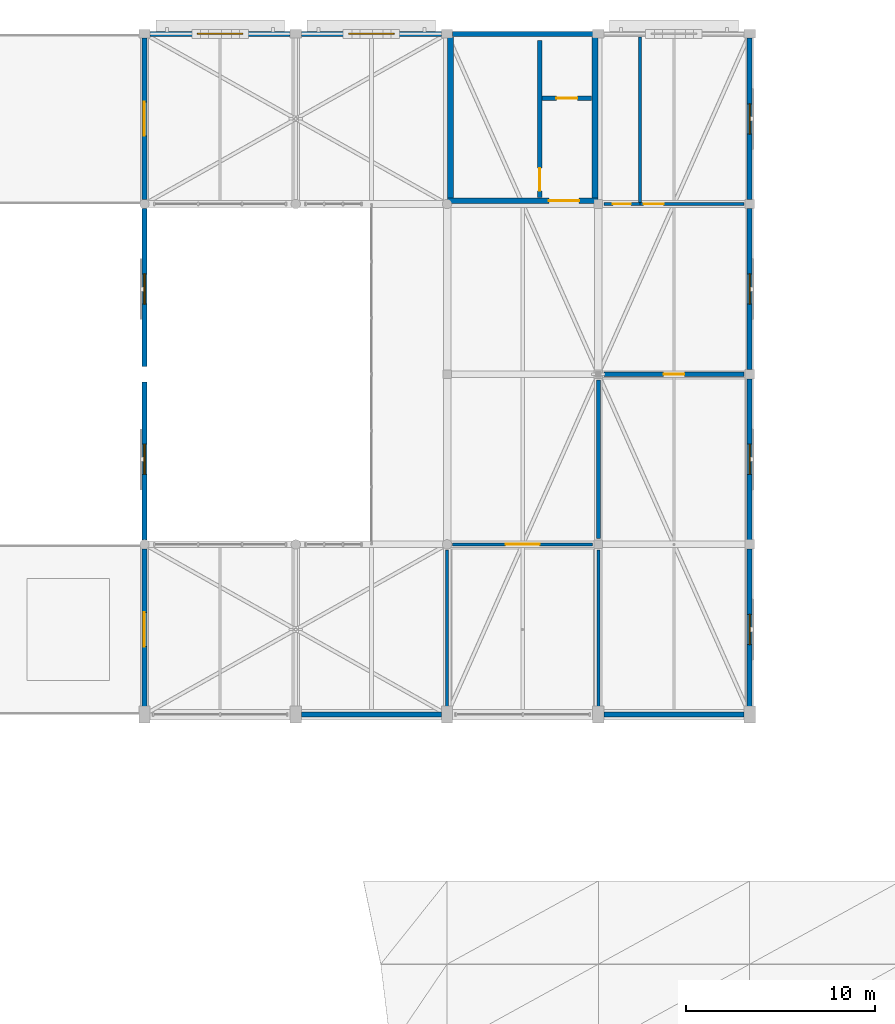
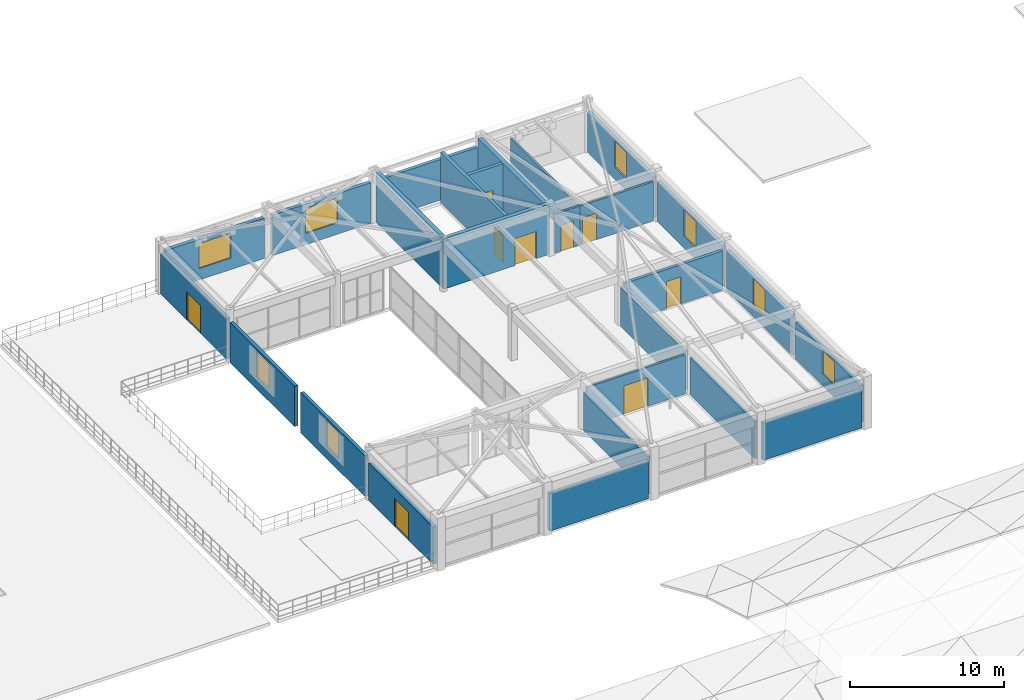
# One storey, part 46 of 63: 26 walls, 9 doors, 8 windows, 17 openings.
"""IFC4 building model written with IfcOpenShell, lengths in metres."""

from ifc_helpers import new_model, si_unit, direction, frame, frame_2d, origin, place, context, subcontext, project, spatial, rectangle, extrude, material, layer, layer_set, type_object, element, fill, save


model = new_model("IFC4")

# Units and contexts
model_context = context("Model", 3, precision=1e-05, world=origin(), true_north=direction((0.0, 1.0)))
body_context = subcontext(model_context, "Body", "Model", "MODEL_VIEW")
ifc_project = project(units=[si_unit("LENGTHUNIT", "METRE"), si_unit("AREAUNIT", "SQUARE_METRE"), si_unit("VOLUMEUNIT", "CUBIC_METRE"), si_unit("PLANEANGLEUNIT", "RADIAN"), si_unit("MASSUNIT", "GRAM", prefix="KILO")], contexts=[model_context])

# Site, building, storey
site_placement = place(None, origin())
site = spatial("IfcSite", under=ifc_project, at=site_placement, CompositionType="ELEMENT")
building_placement = place(site_placement, origin())
building = spatial("IfcBuilding", under=site, at=building_placement, Name="Varnabhumi Central Station", CompositionType="ELEMENT")
storey_placement = place(building_placement, frame((0.0, 0.0, 20.39990234375)))
storey = spatial("IfcBuildingStorey", under=building, at=storey_placement, Name="L04", CompositionType="ELEMENT", Elevation=20.39990234375)

# Wall, opening, door
ifc_material_1 = material(Name="Autoclaved aerated blockwork masonry", Category="masonry")
ifc_layer_1 = layer(ifc_material_1, 0.219970703125, Name="Autoclaved aerated blockwork masonry", Category="masonry")
ifc_layer_set_1 = layer_set([ifc_layer_1], Name="Autoclaved aerated blockwork masonry")
wall_type_1 = type_object("IfcWallType", Name="WAL-COMP-AAC-220", PredefinedType="SOLIDWALL", material=ifc_layer_set_1)
wall_1_placement = place(storey_placement, frame((88.300048828125, 98.0, 0.0), z_axis=(0.0, 0.0, 1.0), x_axis=(1.0, 0.0, 0.0)))
wall_1 = element("IfcWall", 1, at=wall_1_placement, inside=storey, type_object=wall_type_1, Name="Landscape Maintenance Store Corridor Partition 1", PredefinedType="SOLIDWALL", context=body_context, shape_type="SweptSolid", body=[
    extrude(rectangle(XDim=7.39990234375, YDim=0.219970703125, at=frame_2d((3.699951171875, 0.0))), origin(), (0.0, 0.0, 1.0), 3.10009765625),
])
opening_1_placement = place(wall_1_placement, frame((3.14990234375, 0.0, 0.0)))
opening_1 = element("IfcOpeningElement", 2, at=opening_1_placement, cuts=wall_1, Name="Opening FD-60", PredefinedType="OPENING", context=body_context, shape_type="SweptSolid", body=[
    extrude(rectangle(XDim=1.10009765625, YDim=2.14990234375, at=frame_2d((0.550048828125, 1.074951171875))), frame((0.0, 0.119873046875, 0.0), z_axis=(0.0, -1.0, 0.0), x_axis=(1.0, 0.0, 0.0)), (0.0, 0.0, 1.0), 0.239990234375),
])
ifc_material_2 = material(Name="Intumescent-treated hardwood timber", Category="wood")
door_type_1 = type_object("IfcDoorType", Name="DR-FIRE-60-1100", OperationType="NOTDEFINED", PredefinedType="DOOR", material=ifc_material_2)
door_1_placement = place(opening_1_placement, origin())
door_1 = element("IfcDoor", 3, at=door_1_placement, inside=storey, type_object=door_type_1, Name="Landscape Maintenance Store Door 1", OperationType="SINGLE_SWING_LEFT", OverallHeight=2.14990234375, OverallWidth=1.10009765625, PredefinedType="DOOR", context=body_context, shape_type="SweptSolid", body=[
    extrude(rectangle(XDim=1.10009765625, YDim=2.14990234375, at=frame_2d((0.550048828125, 1.074951171875))), frame((0.0, 0.02490234375, 0.0), z_axis=(0.0, -1.0, 0.0), x_axis=(1.0, 0.0, 0.0)), (0.0, 0.0, 1.0), 0.050048828125),
])
fill(opening_1, door_1)

# Walls
wall_2_placement = place(storey_placement, frame((88.0, 89.300048828125, 0.0), z_axis=(0.0, 0.0, 1.0), x_axis=(0.0, 1.0, 0.0)))
element("IfcWall", 4, at=wall_2_placement, inside=storey, type_object=wall_type_1, Name="Landscape Maintenance Store E Partition 2", PredefinedType="SOLIDWALL", context=body_context, shape_type="SweptSolid", body=[
    extrude(rectangle(XDim=8.39990234375, YDim=0.219970703125, at=frame_2d((4.199951171875, 0.0))), origin(), (0.0, 0.0, 1.0), 3.10009765625),
])
ifc_material_3 = material(Name="Concrete M40", Category="concrete")
ifc_layer_2 = layer(ifc_material_3, 0.300048828125, Name="Concrete M40", Category="concrete")
ifc_layer_set_2 = layer_set([ifc_layer_2], Name="Concrete M40")
wall_type_2 = type_object("IfcWallType", Name="WAL-CORE-RC-300", PredefinedType="SHEAR", material=ifc_layer_set_2)
for number, where, z_axis, x_axis, name in (
    (5, (80.179931640625, 107.179931640625, 0.0), (0.0, 0.0, 1.0), (0.0, 1.0, 0.0), "NC2 L04 West Shear Wall"),
    (6, (87.820068359375, 107.179931640625, 0.0), (0.0, 0.0, 1.0), (0.0, 1.0, 0.0), "NC2 L04 East Shear Wall"),
):
    element("IfcWall", number, at=place(storey_placement, frame(where, z_axis=z_axis, x_axis=x_axis)), inside=storey, type_object=wall_type_2, Name=name, PredefinedType="SHEAR", context=body_context, shape_type="SweptSolid", body=[
        extrude(rectangle(XDim=8.64013671875, YDim=0.300048828125, at=frame_2d((4.320068359375, 0.0))), origin(), (0.0, 0.0, 1.0), 3.97998046875),
    ])

# Wall, opening, door
wall_3_placement = place(storey_placement, frame((80.030029296875, 107.179931640625, 0.0), z_axis=(0.0, 0.0, 1.0), x_axis=(1.0, 0.0, 0.0)))
wall_3 = element("IfcWall", 7, at=wall_3_placement, inside=storey, type_object=wall_type_2, Name="NC2 L04 Corridor Shear Wall", PredefinedType="SHEAR", context=body_context, shape_type="SweptSolid", body=[
    extrude(rectangle(XDim=7.93994140625, YDim=0.300048828125, at=frame_2d((3.969970703125, 0.0))), origin(), (0.0, 0.0, 1.0), 3.97998046875),
])
opening_2_placement = place(wall_3_placement, frame((5.35009765625, 0.0, 0.0)))
opening_2 = element("IfcOpeningElement", 8, at=opening_2_placement, cuts=wall_3, Name="Opening FD-60D", PredefinedType="OPENING", context=body_context, shape_type="SweptSolid", body=[
    extrude(rectangle(XDim=1.60009765625, YDim=2.14990234375, at=frame_2d((0.800048828125, 1.074951171875))), frame((0.0, 0.159912109375, 0.0), z_axis=(0.0, -1.0, 0.0), x_axis=(1.0, 0.0, 0.0)), (0.0, 0.0, 1.0), 0.320068359375),
])
door_type_2 = type_object("IfcDoorType", Name="DR-FIRE-60-1600", OperationType="NOTDEFINED", PredefinedType="DOOR", material=ifc_material_2)
door_2_placement = place(opening_2_placement, frame((1.60009765625, 0.0, 0.0), z_axis=(0.0, 0.0, 1.0), x_axis=(-1.0, 0.0, 0.0)))
door_2 = element("IfcDoor", 9, at=door_2_placement, inside=storey, type_object=door_type_2, Name="NC2 L04 Lobby Fire Door", OperationType="DOUBLE_DOOR_SINGLE_SWING", OverallHeight=2.14990234375, OverallWidth=1.60009765625, PredefinedType="DOOR", context=body_context, shape_type="SweptSolid", body=[
    extrude(rectangle(XDim=1.60009765625, YDim=2.14990234375, at=frame_2d((0.800048828125, 1.074951171875))), frame((0.0, 0.02490234375, 0.0), z_axis=(0.0, -1.0, 0.0), x_axis=(1.0, 0.0, 0.0)), (0.0, 0.0, 1.0), 0.050048828125),
])
fill(opening_2, door_2)

# Wall, opening, window
ifc_layer_3 = layer(ifc_material_1, 0.260009765625, Name="Autoclaved aerated blockwork masonry", Category="masonry")
ifc_layer_set_3 = layer_set([ifc_layer_3], Name="Autoclaved aerated blockwork masonry")
wall_type_3 = type_object("IfcWallType", Name="WAL-EXT-STUCCO-260", PredefinedType="SOLIDWALL", material=ifc_layer_set_3)
wall_4_placement = place(storey_placement, frame((64.294921875, 116.0, 0.0), z_axis=(0.0, 0.0, 1.0), x_axis=(1.0, 0.0, 0.0)))
wall_4 = element("IfcWall", 10, at=wall_4_placement, inside=storey, type_object=wall_type_3, Name="North Boulevard Wall L04-1", PredefinedType="SOLIDWALL", context=body_context, shape_type="SweptSolid", body=[
    extrude(rectangle(XDim=7.41015625, YDim=0.260009765625, at=frame_2d((3.705078125, 0.0))), origin(), (0.0, 0.0, 1.0), 3.210205078125),
])
opening_3_placement = place(wall_4_placement, frame((2.5048828125, 0.0, 0.89990234375)))
opening_3 = element("IfcOpeningElement", 11, at=opening_3_placement, cuts=wall_4, Name="Opening W-05", PredefinedType="OPENING", context=body_context, shape_type="SweptSolid", body=[
    extrude(rectangle(XDim=2.39990234375, YDim=1.989990234375, at=frame_2d((1.199951171875, 0.9951171875))), frame((0.0, 0.139892578125, 0.0), z_axis=(0.0, -1.0, 0.0), x_axis=(1.0, 0.0, 0.0)), (0.0, 0.0, 1.0), 0.280029296875),
])
ifc_material_4 = material(Name="Laminated low-E double glazing", Category="glass")
window_type_1 = type_object("IfcWindowType", Name="WIN-TALL-2400x3200", PartitioningType="TRIPLE_PANEL_HORIZONTAL", PredefinedType="WINDOW", material=ifc_material_4)
window_1_placement = place(opening_3_placement, origin())
window_1 = element("IfcWindow", 12, at=window_1_placement, inside=storey, type_object=window_type_1, Name="North Facade Window L04-1", OverallHeight=1.989990234375, OverallWidth=2.39990234375, PartitioningType="SINGLE_PANEL", PredefinedType="WINDOW", context=body_context, shape_type="SweptSolid", body=[
    extrude(rectangle(XDim=2.39990234375, YDim=1.989990234375, at=frame_2d((1.199951171875, 0.9951171875))), frame((0.0, 0.030029296875, 0.0), z_axis=(0.0, -1.0, 0.0), x_axis=(1.0, 0.0, 0.0)), (0.0, 0.0, 1.0), 0.06005859375),
])
fill(opening_3, window_1)

wall_5_placement = place(storey_placement, frame((72.294921875, 116.0, 0.0), z_axis=(0.0, 0.0, 1.0), x_axis=(1.0, 0.0, 0.0)))
wall_5 = element("IfcWall", 13, at=wall_5_placement, inside=storey, type_object=wall_type_3, Name="North Boulevard Wall L04-2", PredefinedType="SOLIDWALL", context=body_context, shape_type="SweptSolid", body=[
    extrude(rectangle(XDim=7.41015625, YDim=0.260009765625, at=frame_2d((3.705078125, 0.0))), origin(), (0.0, 0.0, 1.0), 3.210205078125),
])
opening_4_placement = place(wall_5_placement, frame((2.5048828125, 0.0, 0.89990234375)))
opening_4 = element("IfcOpeningElement", 14, at=opening_4_placement, cuts=wall_5, Name="Opening W-05", PredefinedType="OPENING", context=body_context, shape_type="SweptSolid", body=[
    extrude(rectangle(XDim=2.39990234375, YDim=1.989990234375, at=frame_2d((1.199951171875, 0.9951171875))), frame((0.0, 0.139892578125, 0.0), z_axis=(0.0, -1.0, 0.0), x_axis=(1.0, 0.0, 0.0)), (0.0, 0.0, 1.0), 0.280029296875),
])
window_2_placement = place(opening_4_placement, origin())
window_2 = element("IfcWindow", 15, at=window_2_placement, inside=storey, type_object=window_type_1, Name="North Facade Window L04-2", OverallHeight=1.989990234375, OverallWidth=2.39990234375, PartitioningType="SINGLE_PANEL", PredefinedType="WINDOW", context=body_context, shape_type="SweptSolid", body=[
    extrude(rectangle(XDim=2.39990234375, YDim=1.989990234375, at=frame_2d((1.199951171875, 0.9951171875))), frame((0.0, 0.030029296875, 0.0), z_axis=(0.0, -1.0, 0.0), x_axis=(1.0, 0.0, 0.0)), (0.0, 0.0, 1.0), 0.06005859375),
])
fill(opening_4, window_2)

# Walls
wall_6_placement = place(storey_placement, frame((72.294921875, 80.0, 0.0), z_axis=(0.0, 0.0, 1.0), x_axis=(1.0, 0.0, 0.0)))
element("IfcWall", 16, at=wall_6_placement, inside=storey, type_object=wall_type_3, Name="North Spine Wall L04-2", PredefinedType="SOLIDWALL", context=body_context, shape_type="SweptSolid", body=[
    extrude(rectangle(XDim=7.41015625, YDim=0.260009765625, at=frame_2d((3.705078125, 0.0))), origin(), (0.0, 0.0, 1.0), 2.960205078125),
])
wall_7_placement = place(storey_placement, frame((80.294921875, 116.0, 0.0), z_axis=(0.0, 0.0, 1.0), x_axis=(1.0, 0.0, 0.0)))
element("IfcWall", 17, at=wall_7_placement, inside=storey, type_object=wall_type_3, Name="North Boulevard Wall L04-3", PredefinedType="SOLIDWALL", context=body_context, shape_type="SweptSolid", body=[
    extrude(rectangle(XDim=7.41015625, YDim=0.260009765625, at=frame_2d((3.705078125, 0.0))), origin(), (0.0, 0.0, 1.0), 3.210205078125),
])
wall_8_placement = place(storey_placement, frame((88.294921875, 80.0, 0.0), z_axis=(0.0, 0.0, 1.0), x_axis=(1.0, 0.0, 0.0)))
element("IfcWall", 18, at=wall_8_placement, inside=storey, type_object=wall_type_3, Name="North Spine Wall L04-4", PredefinedType="SOLIDWALL", context=body_context, shape_type="SweptSolid", body=[
    extrude(rectangle(XDim=7.41015625, YDim=0.260009765625, at=frame_2d((3.705078125, 0.0))), origin(), (0.0, 0.0, 1.0), 2.960205078125),
])

# Wall, opening, door
wall_9_placement = place(storey_placement, frame((64.0, 80.39990234375, 0.0), z_axis=(0.0, 0.0, 1.0), x_axis=(0.0, 1.0, 0.0)))
wall_9 = element("IfcWall", 19, at=wall_9_placement, inside=storey, type_object=wall_type_3, Name="North Wing E End Wall L04-1", PredefinedType="SOLIDWALL", context=body_context, shape_type="SweptSolid", body=[
    extrude(rectangle(XDim=8.35498046875, YDim=0.260009765625, at=frame_2d((4.177490234375, 0.0))), origin(), (0.0, 0.0, 1.0), 2.960205078125),
])
opening_5_placement = place(wall_9_placement, frame((3.199951171875, 0.0, 0.0)))
opening_5 = element("IfcOpeningElement", 20, at=opening_5_placement, cuts=wall_9, Name="Opening ED-4", PredefinedType="OPENING", context=body_context, shape_type="SweptSolid", body=[
    extrude(rectangle(XDim=1.800048828125, YDim=2.199951171875, at=frame_2d((0.89990234375, 1.10009765625))), frame((0.0, 0.139892578125, 0.0), z_axis=(0.0, -1.0, 0.0), x_axis=(1.0, 0.0, 0.0)), (0.0, 0.0, 1.0), 0.280029296875),
])
ifc_material_5 = material(Name="Anodised aluminium 6063-T6", Category="aluminium")
door_type_3 = type_object("IfcDoorType", Name="DR-EXT-AZOTEA-1800", OperationType="NOTDEFINED", PredefinedType="DOOR", material=ifc_material_5)
door_3_placement = place(opening_5_placement, frame((1.800048828125, 0.0, 0.0), z_axis=(0.0, 0.0, 1.0), x_axis=(-1.0, 0.0, 0.0)))
door_3 = element("IfcDoor", 21, at=door_3_placement, inside=storey, type_object=door_type_3, Name="North Azotea Garden Door L04-E", OperationType="DOUBLE_DOOR_SINGLE_SWING", OverallHeight=2.199951171875, OverallWidth=1.800048828125, PredefinedType="DOOR", context=body_context, shape_type="SweptSolid", body=[
    extrude(rectangle(XDim=1.800048828125, YDim=2.199951171875, at=frame_2d((0.89990234375, 1.10009765625))), frame((0.0, 0.02490234375, 0.0), z_axis=(0.0, -1.0, 0.0), x_axis=(1.0, 0.0, 0.0)), (0.0, 0.0, 1.0), 0.050048828125),
])
fill(opening_5, door_3)

# Wall, opening, window
wall_10_placement = place(storey_placement, frame((64.0, 89.2451171875, 0.0), z_axis=(0.0, 0.0, 1.0), x_axis=(0.0, 1.0, 0.0)))
wall_10 = element("IfcWall", 22, at=wall_10_placement, inside=storey, type_object=wall_type_3, Name="North Wing E End Wall L04-2", PredefinedType="SOLIDWALL", context=body_context, shape_type="SweptSolid", body=[
    extrude(rectangle(XDim=8.35498046875, YDim=0.260009765625, at=frame_2d((4.177490234375, 0.0))), origin(), (0.0, 0.0, 1.0), 3.210205078125),
])
opening_6_placement = place(wall_10_placement, frame((3.455078125, 0.0, 0.949951171875)))
opening_6 = element("IfcOpeningElement", 23, at=opening_6_placement, cuts=wall_10, Name="Opening W-04", PredefinedType="OPENING", context=body_context, shape_type="SweptSolid", body=[
    extrude(rectangle(XDim=1.60009765625, YDim=2.10009765625, at=frame_2d((0.800048828125, 1.050048828125))), frame((0.0, 0.139892578125, 0.0), z_axis=(0.0, -1.0, 0.0), x_axis=(1.0, 0.0, 0.0)), (0.0, 0.0, 1.0), 0.280029296875),
])
window_type_2 = type_object("IfcWindowType", Name="WIN-PIER-1600x2200", PartitioningType="SINGLE_PANEL", PredefinedType="WINDOW", material=ifc_material_4)
window_3_placement = place(opening_6_placement, origin())
window_3 = element("IfcWindow", 24, at=window_3_placement, inside=storey, type_object=window_type_2, Name="North E Window L04-2", OverallHeight=2.10009765625, OverallWidth=1.60009765625, PartitioningType="SINGLE_PANEL", PredefinedType="WINDOW", context=body_context, shape_type="SweptSolid", body=[
    extrude(rectangle(XDim=1.60009765625, YDim=2.10009765625, at=frame_2d((0.800048828125, 1.050048828125))), frame((0.0, 0.030029296875, 0.0), z_axis=(0.0, -1.0, 0.0), x_axis=(1.0, 0.0, 0.0)), (0.0, 0.0, 1.0), 0.06005859375),
])
fill(opening_6, window_3)

wall_11_placement = place(storey_placement, frame((64.0, 98.39990234375, 0.0), z_axis=(0.0, 0.0, 1.0), x_axis=(0.0, 1.0, 0.0)))
wall_11 = element("IfcWall", 25, at=wall_11_placement, inside=storey, type_object=wall_type_3, Name="North Wing E End Wall L04-3", PredefinedType="SOLIDWALL", context=body_context, shape_type="SweptSolid", body=[
    extrude(rectangle(XDim=8.35498046875, YDim=0.260009765625, at=frame_2d((4.177490234375, 0.0))), origin(), (0.0, 0.0, 1.0), 3.210205078125),
])
opening_7_placement = place(wall_11_placement, frame((3.300048828125, 0.0, 0.949951171875)))
opening_7 = element("IfcOpeningElement", 26, at=opening_7_placement, cuts=wall_11, Name="Opening W-04", PredefinedType="OPENING", context=body_context, shape_type="SweptSolid", body=[
    extrude(rectangle(XDim=1.60009765625, YDim=2.10009765625, at=frame_2d((0.800048828125, 1.050048828125))), frame((0.0, 0.139892578125, 0.0), z_axis=(0.0, -1.0, 0.0), x_axis=(1.0, 0.0, 0.0)), (0.0, 0.0, 1.0), 0.280029296875),
])
window_4_placement = place(opening_7_placement, origin())
window_4 = element("IfcWindow", 27, at=window_4_placement, inside=storey, type_object=window_type_2, Name="North E Window L04-3", OverallHeight=2.10009765625, OverallWidth=1.60009765625, PartitioningType="SINGLE_PANEL", PredefinedType="WINDOW", context=body_context, shape_type="SweptSolid", body=[
    extrude(rectangle(XDim=1.60009765625, YDim=2.10009765625, at=frame_2d((0.800048828125, 1.050048828125))), frame((0.0, 0.030029296875, 0.0), z_axis=(0.0, -1.0, 0.0), x_axis=(1.0, 0.0, 0.0)), (0.0, 0.0, 1.0), 0.06005859375),
])
fill(opening_7, window_4)

# Wall, opening, door
wall_12_placement = place(storey_placement, frame((64.0, 107.2451171875, 0.0), z_axis=(0.0, 0.0, 1.0), x_axis=(0.0, 1.0, 0.0)))
wall_12 = element("IfcWall", 28, at=wall_12_placement, inside=storey, type_object=wall_type_3, Name="North Wing E End Wall L04-4", PredefinedType="SOLIDWALL", context=body_context, shape_type="SweptSolid", body=[
    extrude(rectangle(XDim=8.534912109375, YDim=0.260009765625, at=frame_2d((4.267578125, 0.0))), origin(), (0.0, 0.0, 1.0), 3.210205078125),
])
opening_8_placement = place(wall_12_placement, frame((3.35498046875, 0.0, 0.0)))
opening_8 = element("IfcOpeningElement", 29, at=opening_8_placement, cuts=wall_12, Name="Opening ED-4", PredefinedType="OPENING", context=body_context, shape_type="SweptSolid", body=[
    extrude(rectangle(XDim=1.800048828125, YDim=2.199951171875, at=frame_2d((0.89990234375, 1.10009765625))), frame((0.0, 0.139892578125, 0.0), z_axis=(0.0, -1.0, 0.0), x_axis=(1.0, 0.0, 0.0)), (0.0, 0.0, 1.0), 0.280029296875),
])
door_4_placement = place(opening_8_placement, frame((1.800048828125, 0.0, 0.0), z_axis=(0.0, 0.0, 1.0), x_axis=(-1.0, 0.0, 0.0)))
door_4 = element("IfcDoor", 30, at=door_4_placement, inside=storey, type_object=door_type_3, Name="North Azotea Garden Door L04-E", OperationType="DOUBLE_DOOR_SINGLE_SWING", OverallHeight=2.199951171875, OverallWidth=1.800048828125, PredefinedType="DOOR", context=body_context, shape_type="SweptSolid", body=[
    extrude(rectangle(XDim=1.800048828125, YDim=2.199951171875, at=frame_2d((0.89990234375, 1.10009765625))), frame((0.0, 0.02490234375, 0.0), z_axis=(0.0, -1.0, 0.0), x_axis=(1.0, 0.0, 0.0)), (0.0, 0.0, 1.0), 0.050048828125),
])
fill(opening_8, door_4)

# Wall, opening, window
wall_13_placement = place(storey_placement, frame((96.0, 80.39990234375, 0.0), z_axis=(0.0, 0.0, 1.0), x_axis=(0.0, 1.0, 0.0)))
wall_13 = element("IfcWall", 31, at=wall_13_placement, inside=storey, type_object=wall_type_3, Name="North Wing W End Wall L04-1", PredefinedType="SOLIDWALL", context=body_context, shape_type="SweptSolid", body=[
    extrude(rectangle(XDim=8.35498046875, YDim=0.260009765625, at=frame_2d((4.177490234375, 0.0))), origin(), (0.0, 0.0, 1.0), 2.960205078125),
])
opening_9_placement = place(wall_13_placement, frame((3.300048828125, 0.0, 0.949951171875)))
opening_9 = element("IfcOpeningElement", 32, at=opening_9_placement, cuts=wall_13, Name="Opening W-04", PredefinedType="OPENING", context=body_context, shape_type="SweptSolid", body=[
    extrude(rectangle(XDim=1.60009765625, YDim=1.8701171875, at=frame_2d((0.800048828125, 0.93505859375))), frame((0.0, 0.139892578125, 0.0), z_axis=(0.0, -1.0, 0.0), x_axis=(1.0, 0.0, 0.0)), (0.0, 0.0, 1.0), 0.280029296875),
])
window_5_placement = place(opening_9_placement, origin())
window_5 = element("IfcWindow", 33, at=window_5_placement, inside=storey, type_object=window_type_2, Name="North W Window L04-1", OverallHeight=1.8701171875, OverallWidth=1.60009765625, PartitioningType="SINGLE_PANEL", PredefinedType="WINDOW", context=body_context, shape_type="SweptSolid", body=[
    extrude(rectangle(XDim=1.60009765625, YDim=1.8701171875, at=frame_2d((0.800048828125, 0.93505859375))), frame((0.0, 0.030029296875, 0.0), z_axis=(0.0, -1.0, 0.0), x_axis=(1.0, 0.0, 0.0)), (0.0, 0.0, 1.0), 0.06005859375),
])
fill(opening_9, window_5)

wall_14_placement = place(storey_placement, frame((96.0, 89.2451171875, 0.0), z_axis=(0.0, 0.0, 1.0), x_axis=(0.0, 1.0, 0.0)))
wall_14 = element("IfcWall", 34, at=wall_14_placement, inside=storey, type_object=wall_type_3, Name="North Wing W End Wall L04-2", PredefinedType="SOLIDWALL", context=body_context, shape_type="SweptSolid", body=[
    extrude(rectangle(XDim=8.509765625, YDim=0.260009765625, at=frame_2d((4.2548828125, 0.0))), origin(), (0.0, 0.0, 1.0), 3.210205078125),
])
opening_10_placement = place(wall_14_placement, frame((3.455078125, 0.0, 0.949951171875)))
opening_10 = element("IfcOpeningElement", 35, at=opening_10_placement, cuts=wall_14, Name="Opening W-04", PredefinedType="OPENING", context=body_context, shape_type="SweptSolid", body=[
    extrude(rectangle(XDim=1.60009765625, YDim=2.10009765625, at=frame_2d((0.800048828125, 1.050048828125))), frame((0.0, 0.139892578125, 0.0), z_axis=(0.0, -1.0, 0.0), x_axis=(1.0, 0.0, 0.0)), (0.0, 0.0, 1.0), 0.280029296875),
])
window_6_placement = place(opening_10_placement, origin())
window_6 = element("IfcWindow", 36, at=window_6_placement, inside=storey, type_object=window_type_2, Name="North W Window L04-2", OverallHeight=2.10009765625, OverallWidth=1.60009765625, PartitioningType="SINGLE_PANEL", PredefinedType="WINDOW", context=body_context, shape_type="SweptSolid", body=[
    extrude(rectangle(XDim=1.60009765625, YDim=2.10009765625, at=frame_2d((0.800048828125, 1.050048828125))), frame((0.0, 0.030029296875, 0.0), z_axis=(0.0, -1.0, 0.0), x_axis=(1.0, 0.0, 0.0)), (0.0, 0.0, 1.0), 0.06005859375),
])
fill(opening_10, window_6)

wall_15_placement = place(storey_placement, frame((96.0, 98.2451171875, 0.0), z_axis=(0.0, 0.0, 1.0), x_axis=(0.0, 1.0, 0.0)))
wall_15 = element("IfcWall", 37, at=wall_15_placement, inside=storey, type_object=wall_type_3, Name="North Wing W End Wall L04-3", PredefinedType="SOLIDWALL", context=body_context, shape_type="SweptSolid", body=[
    extrude(rectangle(XDim=8.509765625, YDim=0.260009765625, at=frame_2d((4.2548828125, 0.0))), origin(), (0.0, 0.0, 1.0), 3.210205078125),
])
opening_11_placement = place(wall_15_placement, frame((3.455078125, 0.0, 0.949951171875)))
opening_11 = element("IfcOpeningElement", 38, at=opening_11_placement, cuts=wall_15, Name="Opening W-04", PredefinedType="OPENING", context=body_context, shape_type="SweptSolid", body=[
    extrude(rectangle(XDim=1.60009765625, YDim=2.10009765625, at=frame_2d((0.800048828125, 1.050048828125))), frame((0.0, 0.139892578125, 0.0), z_axis=(0.0, -1.0, 0.0), x_axis=(1.0, 0.0, 0.0)), (0.0, 0.0, 1.0), 0.280029296875),
])
window_7_placement = place(opening_11_placement, origin())
window_7 = element("IfcWindow", 39, at=window_7_placement, inside=storey, type_object=window_type_2, Name="North W Window L04-3", OverallHeight=2.10009765625, OverallWidth=1.60009765625, PartitioningType="SINGLE_PANEL", PredefinedType="WINDOW", context=body_context, shape_type="SweptSolid", body=[
    extrude(rectangle(XDim=1.60009765625, YDim=2.10009765625, at=frame_2d((0.800048828125, 1.050048828125))), frame((0.0, 0.030029296875, 0.0), z_axis=(0.0, -1.0, 0.0), x_axis=(1.0, 0.0, 0.0)), (0.0, 0.0, 1.0), 0.06005859375),
])
fill(opening_11, window_7)

wall_16_placement = place(storey_placement, frame((96.0, 107.2451171875, 0.0), z_axis=(0.0, 0.0, 1.0), x_axis=(0.0, 1.0, 0.0)))
wall_16 = element("IfcWall", 40, at=wall_16_placement, inside=storey, type_object=wall_type_3, Name="North Wing W End Wall L04-4", PredefinedType="SOLIDWALL", context=body_context, shape_type="SweptSolid", body=[
    extrude(rectangle(XDim=8.534912109375, YDim=0.260009765625, at=frame_2d((4.267578125, 0.0))), origin(), (0.0, 0.0, 1.0), 3.210205078125),
])
opening_12_placement = place(wall_16_placement, frame((3.455078125, 0.0, 0.949951171875)))
opening_12 = element("IfcOpeningElement", 41, at=opening_12_placement, cuts=wall_16, Name="Opening W-04", PredefinedType="OPENING", context=body_context, shape_type="SweptSolid", body=[
    extrude(rectangle(XDim=1.60009765625, YDim=2.10009765625, at=frame_2d((0.800048828125, 1.050048828125))), frame((0.0, 0.139892578125, 0.0), z_axis=(0.0, -1.0, 0.0), x_axis=(1.0, 0.0, 0.0)), (0.0, 0.0, 1.0), 0.280029296875),
])
window_8_placement = place(opening_12_placement, origin())
window_8 = element("IfcWindow", 42, at=window_8_placement, inside=storey, type_object=window_type_2, Name="North W Window L04-4", OverallHeight=2.10009765625, OverallWidth=1.60009765625, PartitioningType="SINGLE_PANEL", PredefinedType="WINDOW", context=body_context, shape_type="SweptSolid", body=[
    extrude(rectangle(XDim=1.60009765625, YDim=2.10009765625, at=frame_2d((0.800048828125, 1.050048828125))), frame((0.0, 0.030029296875, 0.0), z_axis=(0.0, -1.0, 0.0), x_axis=(1.0, 0.0, 0.0)), (0.0, 0.0, 1.0), 0.06005859375),
])
fill(opening_12, window_8)

# Wall, opening, door
ifc_layer_4 = layer(ifc_material_1, 0.159912109375, Name="Autoclaved aerated blockwork masonry", Category="masonry")
ifc_layer_set_4 = layer_set([ifc_layer_4], Name="Autoclaved aerated blockwork masonry")
wall_type_4 = type_object("IfcWallType", Name="WAL-PART-AAC-160", PredefinedType="PARTITIONING", material=ifc_layer_set_4)
wall_17_placement = place(storey_placement, frame((80.300048828125, 89.0, 0.0), z_axis=(0.0, 0.0, 1.0), x_axis=(1.0, 0.0, 0.0)))
wall_17 = element("IfcWall", 43, at=wall_17_placement, inside=storey, type_object=wall_type_4, Name="Garden Tea Kiosk and Conservatory Corridor Partition 1", PredefinedType="PARTITIONING", context=body_context, shape_type="SweptSolid", body=[
    extrude(rectangle(XDim=7.39990234375, YDim=0.159912109375, at=frame_2d((3.699951171875, 0.0))), origin(), (0.0, 0.0, 1.0), 3.10009765625),
])
opening_13_placement = place(wall_17_placement, frame((2.800048828125, 0.0, 0.0)))
opening_13 = element("IfcOpeningElement", 44, at=opening_13_placement, cuts=wall_17, Name="Opening D-02", PredefinedType="OPENING", context=body_context, shape_type="SweptSolid", body=[
    extrude(rectangle(XDim=1.800048828125, YDim=2.25, at=frame_2d((0.89990234375, 1.125))), frame((0.0, 0.08984375, 0.0), z_axis=(0.0, -1.0, 0.0), x_axis=(1.0, 0.0, 0.0)), (0.0, 0.0, 1.0), 0.179931640625),
])
door_type_4 = type_object("IfcDoorType", Name="DR-LOUNGE-1800", OperationType="NOTDEFINED", PredefinedType="DOOR", material=ifc_material_5)
door_5_placement = place(opening_13_placement, origin())
door_5 = element("IfcDoor", 45, at=door_5_placement, inside=storey, type_object=door_type_4, Name="Garden Tea Kiosk and Conservatory Door 1", OperationType="DOUBLE_DOOR_SINGLE_SWING", OverallHeight=2.25, OverallWidth=1.800048828125, PredefinedType="DOOR", context=body_context, shape_type="SweptSolid", body=[
    extrude(rectangle(XDim=1.800048828125, YDim=2.25, at=frame_2d((0.89990234375, 1.125))), frame((0.0, 0.02490234375, 0.0), z_axis=(0.0, -1.0, 0.0), x_axis=(1.0, 0.0, 0.0)), (0.0, 0.0, 1.0), 0.050048828125),
])
fill(opening_13, door_5)

# Walls
for number, where, z_axis, x_axis, name in (
    (46, (80.0, 80.300048828125, 0.0), (0.0, 0.0, 1.0), (0.0, 1.0, 0.0), "Garden Tea Kiosk and Conservatory E Partition 1"),
    (47, (88.0, 80.300048828125, 0.0), (0.0, 0.0, 1.0), (0.0, 1.0, 0.0), "Garden Tea Kiosk and Conservatory W Partition 1"),
):
    element("IfcWall", number, at=place(storey_placement, frame(where, z_axis=z_axis, x_axis=x_axis)), inside=storey, type_object=wall_type_4, Name=name, PredefinedType="PARTITIONING", context=body_context, shape_type="SweptSolid", body=[
        extrude(rectangle(XDim=8.39990234375, YDim=0.159912109375, at=frame_2d((4.199951171875, 0.0))), origin(), (0.0, 0.0, 1.0), 2.960205078125),
    ])

# Wall, opening, door
wall_18_placement = place(storey_placement, frame((88.300048828125, 107.0, 0.0), z_axis=(0.0, 0.0, 1.0), x_axis=(1.0, 0.0, 0.0)))
wall_18 = element("IfcWall", 48, at=wall_18_placement, inside=storey, type_object=wall_type_4, Name="Public Male WC L04 North Corridor Partition 1", PredefinedType="PARTITIONING", context=body_context, shape_type="SweptSolid", body=[
    extrude(rectangle(XDim=1.89990234375, YDim=0.159912109375, at=frame_2d((0.949951171875, 0.0))), origin(), (0.0, 0.0, 1.0), 3.10009765625),
])
opening_14_placement = place(wall_18_placement, frame((0.47509765625, 0.0, 0.0)))
opening_14 = element("IfcOpeningElement", 49, at=opening_14_placement, cuts=wall_18, Name="Opening D-04", PredefinedType="OPENING", context=body_context, shape_type="SweptSolid", body=[
    extrude(rectangle(XDim=0.949951171875, YDim=2.10009765625, at=frame_2d((0.47509765625, 1.050048828125))), frame((0.0, 0.08984375, 0.0), z_axis=(0.0, -1.0, 0.0), x_axis=(1.0, 0.0, 0.0)), (0.0, 0.0, 1.0), 0.179931640625),
])
door_type_5 = type_object("IfcDoorType", Name="DR-WC-950", OperationType="NOTDEFINED", PredefinedType="DOOR", material=ifc_material_2)
door_6_placement = place(opening_14_placement, frame((0.949951171875, 0.0, 0.0), z_axis=(0.0, 0.0, 1.0), x_axis=(-1.0, 0.0, 0.0)))
door_6 = element("IfcDoor", 50, at=door_6_placement, inside=storey, type_object=door_type_5, Name="Public Male WC L04 North Door 1", OperationType="SINGLE_SWING_LEFT", OverallHeight=2.10009765625, OverallWidth=0.949951171875, PredefinedType="DOOR", context=body_context, shape_type="SweptSolid", body=[
    extrude(rectangle(XDim=0.949951171875, YDim=2.10009765625, at=frame_2d((0.47509765625, 1.050048828125))), frame((0.0, 0.02490234375, 0.0), z_axis=(0.0, -1.0, 0.0), x_axis=(1.0, 0.0, 0.0)), (0.0, 0.0, 1.0), 0.050048828125),
])
fill(opening_14, door_6)

# Wall
wall_19_placement = place(storey_placement, frame((90.199951171875, 107.080078125, 0.0), z_axis=(0.0, 0.0, 1.0), x_axis=(0.0, 1.0, 0.0)))
element("IfcWall", 51, at=wall_19_placement, inside=storey, type_object=wall_type_4, Name="Public Male WC L04 North W Partition 1", PredefinedType="PARTITIONING", context=body_context, shape_type="SweptSolid", body=[
    extrude(rectangle(XDim=8.760009765625, YDim=0.159912109375, at=frame_2d((4.3798828125, 0.0))), origin(), (0.0, 0.0, 1.0), 3.10009765625),
])

# Wall, opening, door
wall_20_placement = place(storey_placement, frame((90.199951171875, 107.0, 0.0), z_axis=(0.0, 0.0, 1.0), x_axis=(1.0, 0.0, 0.0)))
wall_20 = element("IfcWall", 52, at=wall_20_placement, inside=storey, type_object=wall_type_4, Name="Accessible and Female WC L04 North Corridor Partition 1", PredefinedType="PARTITIONING", context=body_context, shape_type="SweptSolid", body=[
    extrude(rectangle(XDim=5.5, YDim=0.159912109375, at=frame_2d((2.75, 0.0))), origin(), (0.0, 0.0, 1.0), 3.10009765625),
])
opening_15_placement = place(wall_20_placement, frame((0.199951171875, 0.0, 0.0)))
opening_15 = element("IfcOpeningElement", 53, at=opening_15_placement, cuts=wall_20, Name="Opening D-05", PredefinedType="OPENING", context=body_context, shape_type="SweptSolid", body=[
    extrude(rectangle(XDim=1.050048828125, YDim=2.10009765625, at=frame_2d((0.52490234375, 1.050048828125))), frame((0.0, 0.08984375, 0.0), z_axis=(0.0, -1.0, 0.0), x_axis=(1.0, 0.0, 0.0)), (0.0, 0.0, 1.0), 0.179931640625),
])
door_type_6 = type_object("IfcDoorType", Name="DR-ACC-WC-1050", OperationType="NOTDEFINED", PredefinedType="DOOR", material=ifc_material_2)
door_7_placement = place(opening_15_placement, frame((1.050048828125, 0.0, 0.0), z_axis=(0.0, 0.0, 1.0), x_axis=(-1.0, 0.0, 0.0)))
door_7 = element("IfcDoor", 54, at=door_7_placement, inside=storey, type_object=door_type_6, Name="Accessible and Female WC L04 North Door 1", OperationType="SINGLE_SWING_RIGHT", OverallHeight=2.10009765625, OverallWidth=1.050048828125, PredefinedType="DOOR", context=body_context, shape_type="SweptSolid", body=[
    extrude(rectangle(XDim=1.050048828125, YDim=2.10009765625, at=frame_2d((0.52490234375, 1.050048828125))), frame((0.0, 0.02490234375, 0.0), z_axis=(0.0, -1.0, 0.0), x_axis=(1.0, 0.0, 0.0)), (0.0, 0.0, 1.0), 0.050048828125),
])
fill(opening_15, door_7)

ifc_layer_5 = layer(ifc_material_3, 0.239990234375, Name="Concrete M40", Category="concrete")
ifc_layer_set_5 = layer_set([ifc_layer_5], Name="Concrete M40")
wall_type_5 = type_object("IfcWallType", Name="WAL-SHAFT-RC-240", PredefinedType="SHEAR", material=ifc_layer_set_5)
wall_21_placement = place(storey_placement, frame((84.89990234375, 107.35009765625, 0.0), z_axis=(0.0, 0.0, 1.0), x_axis=(0.0, 1.0, 0.0)))
wall_21 = element("IfcWall", 55, at=wall_21_placement, inside=storey, type_object=wall_type_5, Name="NC2 L04 Stair-Lobby Divider Wall", PredefinedType="SHEAR", context=body_context, shape_type="SweptSolid", body=[
    extrude(rectangle(XDim=8.2998046875, YDim=0.239990234375, at=frame_2d((4.14990234375, 0.0))), origin(), (0.0, 0.0, 1.0), 3.97998046875),
])
opening_16_placement = place(wall_21_placement, frame((0.35009765625, 0.0, 0.0)))
opening_16 = element("IfcOpeningElement", 56, at=opening_16_placement, cuts=wall_21, Name="Opening FD-120", PredefinedType="OPENING", context=body_context, shape_type="SweptSolid", body=[
    extrude(rectangle(XDim=1.199951171875, YDim=2.14990234375, at=frame_2d((0.60009765625, 1.074951171875))), frame((0.0, 0.1298828125, 0.0), z_axis=(0.0, -1.0, 0.0), x_axis=(1.0, 0.0, 0.0)), (0.0, 0.0, 1.0), 0.260009765625),
])
ifc_material_6 = material(Name="Stainless steel Grade 316", Category="steel")
door_type_7 = type_object("IfcDoorType", Name="DR-FIRE-120-1200", OperationType="NOTDEFINED", PredefinedType="DOOR", material=ifc_material_6)
door_8_placement = place(opening_16_placement, frame((1.199951171875, 0.0, 0.0), z_axis=(0.0, 0.0, 1.0), x_axis=(-1.0, 0.0, 0.0)))
door_8 = element("IfcDoor", 57, at=door_8_placement, inside=storey, type_object=door_type_7, Name="ST-N2 L04 Fire Door", OperationType="SINGLE_SWING_LEFT", OverallHeight=2.14990234375, OverallWidth=1.199951171875, PredefinedType="DOOR", context=body_context, shape_type="SweptSolid", body=[
    extrude(rectangle(XDim=1.199951171875, YDim=2.14990234375, at=frame_2d((0.60009765625, 1.074951171875))), frame((0.0, 0.02490234375, 0.0), z_axis=(0.0, -1.0, 0.0), x_axis=(1.0, 0.0, 0.0)), (0.0, 0.0, 1.0), 0.050048828125),
])
fill(opening_16, door_8)

wall_22_placement = place(storey_placement, frame((85.02001953125, 112.60009765625, 0.0), z_axis=(0.0, 0.0, 1.0), x_axis=(1.0, 0.0, 0.0)))
wall_22 = element("IfcWall", 58, at=wall_22_placement, inside=storey, type_object=wall_type_5, Name="PL-7 L04 Lift Shaft Front Wall", PredefinedType="SHEAR", context=body_context, shape_type="SweptSolid", body=[
    extrude(rectangle(XDim=2.6298828125, YDim=0.239990234375, at=frame_2d((1.31494140625, 0.0))), origin(), (0.0, 0.0, 1.0), 3.97998046875),
])
opening_17_placement = place(wall_22_placement, frame((0.764892578125, 0.0, 0.0)))
opening_17 = element("IfcOpeningElement", 59, at=opening_17_placement, cuts=wall_22, Name="Opening LD-PL-7", PredefinedType="OPENING", context=body_context, shape_type="SweptSolid", body=[
    extrude(rectangle(XDim=1.10009765625, YDim=2.14990234375, at=frame_2d((0.550048828125, 1.074951171875))), frame((0.0, 0.1298828125, 0.0), z_axis=(0.0, -1.0, 0.0), x_axis=(1.0, 0.0, 0.0)), (0.0, 0.0, 1.0), 0.260009765625),
])
door_type_8 = type_object("IfcDoorType", Name="DR-LIFT-PASS-1100", OperationType="NOTDEFINED", PredefinedType="DOOR", material=ifc_material_6)
door_9_placement = place(opening_17_placement, origin())
door_9 = element("IfcDoor", 60, at=door_9_placement, inside=storey, type_object=door_type_8, Name="Lift Landing Door PL-7 L04", OperationType="DOUBLE_DOOR_SLIDING", OverallHeight=2.14990234375, OverallWidth=1.10009765625, PredefinedType="DOOR", context=body_context, shape_type="SweptSolid", body=[
    extrude(rectangle(XDim=1.10009765625, YDim=2.14990234375, at=frame_2d((0.550048828125, 1.074951171875))), frame((0.0, 0.02490234375, 0.0), z_axis=(0.0, -1.0, 0.0), x_axis=(1.0, 0.0, 0.0)), (0.0, 0.0, 1.0), 0.050048828125),
])
fill(opening_17, door_9)

save(model, "model.ifc")
